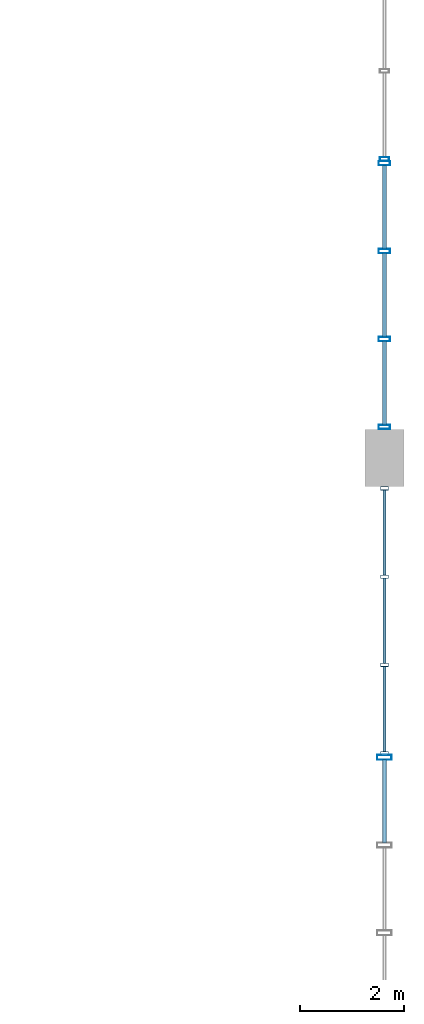
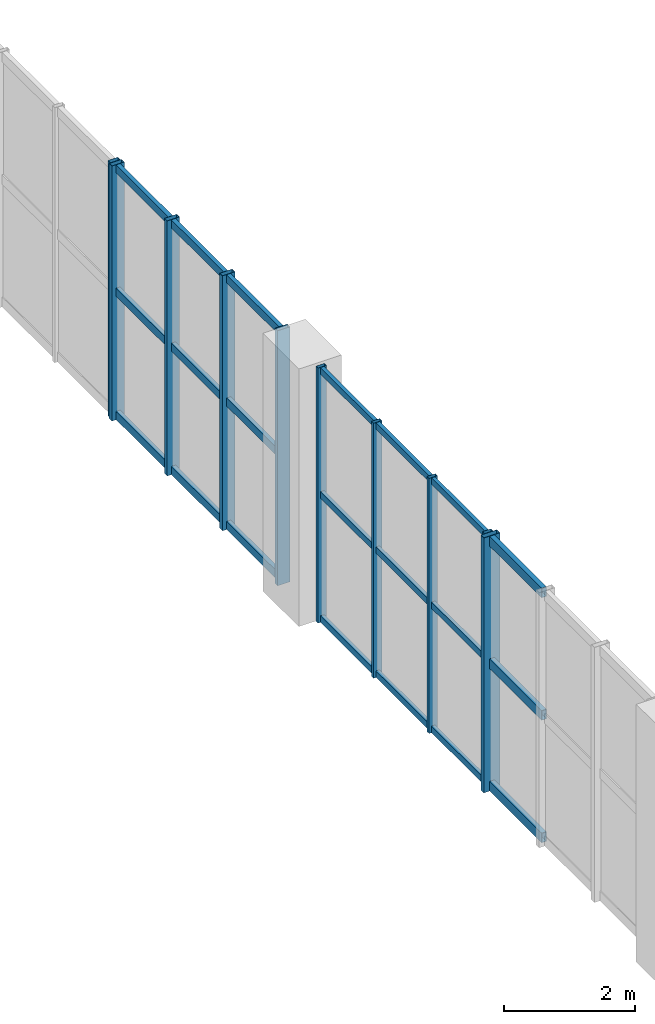
# One storey, part 65 of 106: 31 members, 4 elements without a shape of their own.
"""IFC4 building model written with IfcOpenShell, lengths in metres."""

from ifc_helpers import new_model, si_unit, direction, frame, origin, origin_2d, place, context, subcontext, project, spatial, hollow_rectangle, extrude, material, layer, layer_set, material_profile, profile_set, type_object, element, aggregate, save


model = new_model("IFC4")

# Units and contexts
model_context = context("Model", 3, precision=1e-05, world=origin(), true_north=direction((0.0, 1.0)))
body_context = subcontext(model_context, "Body", "Model", "MODEL_VIEW")
ifc_project = project(units=[si_unit("LENGTHUNIT", "METRE"), si_unit("AREAUNIT", "SQUARE_METRE"), si_unit("VOLUMEUNIT", "CUBIC_METRE"), si_unit("PLANEANGLEUNIT", "RADIAN"), si_unit("MASSUNIT", "GRAM", prefix="KILO"), si_unit("POWERUNIT", "WATT"), si_unit("THERMODYNAMICTEMPERATUREUNIT", "KELVIN")], contexts=[model_context])

# Site, building, storey
site_placement = place(None, origin())
site = spatial("IfcSite", under=ifc_project, at=site_placement, CompositionType="ELEMENT")
building_placement = place(site_placement, origin())
building = spatial("IfcBuilding", under=site, at=building_placement, Name="Kelmbourne Parkland Aquatics Centre", CompositionType="ELEMENT")
storey_placement = place(building_placement, frame((0.0, 0.0, 5.39990234375)))
storey = spatial("IfcBuildingStorey", under=building, at=storey_placement, Name="L01", CompositionType="ELEMENT", Elevation=5.39990234375)

# Curtain wall, members
ifc_material = material(Name="Thermally broken anodised aluminium framing", Category="aluminium")
ifc_layer_1 = layer(ifc_material, 0.179931640625)
ifc_layer_set_1 = layer_set([ifc_layer_1], Name="Thermally broken anodised aluminium framing")
curtain_wall_type_1 = type_object("IfcCurtainWallType", Name="CW-18", PredefinedType="NOTDEFINED", material=ifc_layer_set_1)
curtain_wall_1_placement = place(storey_placement, origin())
curtain_wall_1 = element("IfcCurtainWall", 1, at=curtain_wall_1_placement, inside=storey, type_object=curtain_wall_type_1, Name="Wave-hall clerestory curtain wall CW-L01-090", PredefinedType="NOTDEFINED")
ifc_material_profile_1 = material_profile(ifc_material, hollow_rectangle(XDim=0.06494140625, YDim=0.14990234375, WallThickness=0.00390625, at=origin_2d()), Name="CW-M 65x150")
ifc_profile_set_1 = profile_set([ifc_material_profile_1], Name="Thermally broken anodised aluminium framing")
member_type_1 = type_object("IfcMemberType", Name="MB-MUL-1", PredefinedType="MULLION", material=ifc_profile_set_1)
member_1_placement = place(storey_placement, frame((175.199951171875, 97.732421875, 0.0), z_axis=(0.0, 0.0, 1.0), x_axis=(0.0, 1.0, 0.0)))
member_1 = element("IfcMember", 2, at=member_1_placement, type_object=member_type_1, Name="CW-L01-090 mullion 0", PredefinedType="MULLION", context=body_context, shape_type="SweptSolid", body=[
    extrude(hollow_rectangle(XDim=0.06494140625, YDim=0.14990234375, WallThickness=0.00390625, at=origin_2d()), origin(), (0.0, 0.0, 1.0), 4.75),
])
member_2_placement = place(storey_placement, frame((175.199951171875, 99.4267578125, 0.0), z_axis=(0.0, 0.0, 1.0), x_axis=(0.0, 1.0, 0.0)))
member_2 = element("IfcMember", 3, at=member_2_placement, type_object=member_type_1, Name="CW-L01-090 mullion 1", PredefinedType="MULLION", context=body_context, shape_type="SweptSolid", body=[
    extrude(hollow_rectangle(XDim=0.06494140625, YDim=0.14990234375, WallThickness=0.00390625, at=origin_2d()), origin(), (0.0, 0.0, 1.0), 4.75),
])
member_3_placement = place(storey_placement, frame((175.199951171875, 101.12109375, 0.0), z_axis=(0.0, 0.0, 1.0), x_axis=(0.0, 1.0, 0.0)))
member_3 = element("IfcMember", 4, at=member_3_placement, type_object=member_type_1, Name="CW-L01-090 mullion 2", PredefinedType="MULLION", context=body_context, shape_type="SweptSolid", body=[
    extrude(hollow_rectangle(XDim=0.06494140625, YDim=0.14990234375, WallThickness=0.00390625, at=origin_2d()), origin(), (0.0, 0.0, 1.0), 4.75),
])
member_4_placement = place(storey_placement, frame((175.199951171875, 102.8154296875, 0.0), z_axis=(0.0, 0.0, 1.0), x_axis=(0.0, 1.0, 0.0)))
member_4 = element("IfcMember", 5, at=member_4_placement, type_object=member_type_1, Name="CW-L01-090 mullion 3", PredefinedType="MULLION", context=body_context, shape_type="SweptSolid", body=[
    extrude(hollow_rectangle(XDim=0.06494140625, YDim=0.14990234375, WallThickness=0.00390625, at=origin_2d()), origin(), (0.0, 0.0, 1.0), 4.75),
])

# Curtain wall, member
ifc_layer_2 = layer(ifc_material, 0.179931640625)
ifc_layer_set_2 = layer_set([ifc_layer_2], Name="Thermally broken anodised aluminium framing")
curtain_wall_type_2 = type_object("IfcCurtainWallType", Name="CW-05", PredefinedType="NOTDEFINED", material=ifc_layer_set_2)
curtain_wall_2_placement = place(storey_placement, origin())
curtain_wall_2 = element("IfcCurtainWall", 6, at=curtain_wall_2_placement, inside=storey, type_object=curtain_wall_type_2, Name="Wave-hall clerestory curtain wall CW-L01-101", PredefinedType="NOTDEFINED")
ifc_material_profile_2 = material_profile(ifc_material, hollow_rectangle(XDim=0.074951171875, YDim=0.179931640625, WallThickness=0.00439453125, at=origin_2d()), Name="CW-M 75x180")
ifc_profile_set_2 = profile_set([ifc_material_profile_2], Name="Thermally broken anodised aluminium framing")
member_type_2 = type_object("IfcMemberType", Name="MB-MUL-2", PredefinedType="MULLION", material=ifc_profile_set_2)
member_5_placement = place(storey_placement, frame((175.199951171875, 109.137451171875, 0.0), z_axis=(0.0, 0.0, 1.0), x_axis=(0.0, 1.0, 0.0)))
member_5 = element("IfcMember", 7, at=member_5_placement, type_object=member_type_2, Name="CW-L01-101 mullion 0", PredefinedType="MULLION", context=body_context, shape_type="SweptSolid", body=[
    extrude(hollow_rectangle(XDim=0.074951171875, YDim=0.179931640625, WallThickness=0.00439453125, at=origin_2d()), origin(), (0.0, 0.0, 1.0), 4.75),
])
aggregate(curtain_wall_2, [member_5])

# Curtain wall, members
ifc_layer_3 = layer(ifc_material, 0.179931640625)
ifc_layer_set_3 = layer_set([ifc_layer_3], Name="Thermally broken anodised aluminium framing")
curtain_wall_type_3 = type_object("IfcCurtainWallType", Name="CW-01", PredefinedType="NOTDEFINED", material=ifc_layer_set_3)
curtain_wall_3_placement = place(storey_placement, origin())
curtain_wall_3 = element("IfcCurtainWall", 8, at=curtain_wall_3_placement, inside=storey, type_object=curtain_wall_type_3, Name="Wave-hall clerestory curtain wall CW-L01-097", PredefinedType="NOTDEFINED")
ifc_material_profile_3 = material_profile(ifc_material, hollow_rectangle(XDim=0.0849609375, YDim=0.219970703125, WallThickness=0.0048828125, at=origin_2d()), Name="CW-M 85x220")
ifc_profile_set_3 = profile_set([ifc_material_profile_3], Name="Thermally broken anodised aluminium framing")
member_type_3 = type_object("IfcMemberType", Name="MB-MUL-3", PredefinedType="MULLION", material=ifc_profile_set_3)
member_6_placement = place(storey_placement, frame((175.199951171875, 103.994384765625, 0.0), z_axis=(0.0, 0.0, 1.0), x_axis=(0.0, 1.0, 0.0)))
member_6 = element("IfcMember", 9, at=member_6_placement, type_object=member_type_3, Name="CW-L01-097 mullion 0", PredefinedType="MULLION", context=body_context, shape_type="SweptSolid", body=[
    extrude(hollow_rectangle(XDim=0.0849609375, YDim=0.219970703125, WallThickness=0.0048828125, at=origin_2d()), origin(), (0.0, 0.0, 1.0), 4.75),
])
member_7_placement = place(storey_placement, frame((175.199951171875, 105.68212890625, 0.0), z_axis=(0.0, 0.0, 1.0), x_axis=(0.0, 1.0, 0.0)))
member_7 = element("IfcMember", 10, at=member_7_placement, type_object=member_type_3, Name="CW-L01-097 mullion 1", PredefinedType="MULLION", context=body_context, shape_type="SweptSolid", body=[
    extrude(hollow_rectangle(XDim=0.0849609375, YDim=0.219970703125, WallThickness=0.0048828125, at=origin_2d()), origin(), (0.0, 0.0, 1.0), 4.75),
])
member_8_placement = place(storey_placement, frame((175.199951171875, 107.369873046875, 0.0), z_axis=(0.0, 0.0, 1.0), x_axis=(0.0, 1.0, 0.0)))
member_8 = element("IfcMember", 11, at=member_8_placement, type_object=member_type_3, Name="CW-L01-097 mullion 2", PredefinedType="MULLION", context=body_context, shape_type="SweptSolid", body=[
    extrude(hollow_rectangle(XDim=0.0849609375, YDim=0.219970703125, WallThickness=0.0048828125, at=origin_2d()), origin(), (0.0, 0.0, 1.0), 4.75),
])
member_9_placement = place(storey_placement, frame((175.199951171875, 109.0576171875, 0.0), z_axis=(0.0, 0.0, 1.0), x_axis=(0.0, 1.0, 0.0)))
member_9 = element("IfcMember", 12, at=member_9_placement, type_object=member_type_3, Name="CW-L01-097 mullion 3", PredefinedType="MULLION", context=body_context, shape_type="SweptSolid", body=[
    extrude(hollow_rectangle(XDim=0.0849609375, YDim=0.219970703125, WallThickness=0.0048828125, at=origin_2d()), origin(), (0.0, 0.0, 1.0), 4.75),
])

# Curtain wall, member
ifc_layer_4 = layer(ifc_material, 0.179931640625)
ifc_layer_set_4 = layer_set([ifc_layer_4], Name="Thermally broken anodised aluminium framing")
curtain_wall_type_4 = type_object("IfcCurtainWallType", Name="CW-11", PredefinedType="NOTDEFINED", material=ifc_layer_set_4)
curtain_wall_4_placement = place(storey_placement, origin())
curtain_wall_4 = element("IfcCurtainWall", 13, at=curtain_wall_4_placement, inside=storey, type_object=curtain_wall_type_4, Name="Wave-hall clerestory curtain wall CW-L01-083", PredefinedType="NOTDEFINED")
ifc_material_profile_4 = material_profile(ifc_material, hollow_rectangle(XDim=0.094970703125, YDim=0.280029296875, WallThickness=0.005615234375, at=origin_2d()), Name="CW-M 95x280")
ifc_profile_set_4 = profile_set([ifc_material_profile_4], Name="Thermally broken anodised aluminium framing")
member_type_4 = type_object("IfcMemberType", Name="MB-MUL-4", PredefinedType="MULLION", material=ifc_profile_set_4)
member_10_placement = place(storey_placement, frame((175.199951171875, 97.652587890625, 0.0), z_axis=(0.0, 0.0, 1.0), x_axis=(0.0, 1.0, 0.0)))
member_10 = element("IfcMember", 14, at=member_10_placement, type_object=member_type_4, Name="CW-L01-083 mullion 3", PredefinedType="MULLION", context=body_context, shape_type="SweptSolid", body=[
    extrude(hollow_rectangle(XDim=0.094970703125, YDim=0.280029296875, WallThickness=0.005615234375, at=origin_2d()), origin(), (0.0, 0.0, 1.0), 4.75),
])

# Member
ifc_material_profile_5 = material_profile(ifc_material, hollow_rectangle(XDim=0.06494140625, YDim=0.1201171875, WallThickness=0.00341796875, at=origin_2d()), Name="CW-T 65x120")
ifc_profile_set_5 = profile_set([ifc_material_profile_5], Name="Thermally broken anodised aluminium framing")
member_type_5 = type_object("IfcMemberType", Name="MB-TRN-1", PredefinedType="USERDEFINED", material=ifc_profile_set_5)
member_11_placement = place(storey_placement, frame((175.199951171875, 97.760986328125, 0.06298828125), z_axis=(0.0, 1.0, 0.0), x_axis=(-1.0, 0.0, 0.0)))
member_11 = element("IfcMember", 15, at=member_11_placement, type_object=member_type_5, Name="CW-L01-090 transom 0-0", ObjectType="TRANSOM", PredefinedType="USERDEFINED", context=body_context, shape_type="SweptSolid", body=[
    extrude(hollow_rectangle(XDim=0.06494140625, YDim=0.1201171875, WallThickness=0.00341796875, at=origin_2d()), origin(), (0.0, 0.0, 1.0), 1.63720703125),
])

member_12_placement = place(storey_placement, frame((175.199951171875, 99.455322265625, 0.06298828125), z_axis=(0.0, 1.0, 0.0), x_axis=(-1.0, 0.0, 0.0)))
member_12 = element("IfcMember", 16, at=member_12_placement, type_object=member_type_5, Name="CW-L01-090 transom 0-1", ObjectType="TRANSOM", PredefinedType="USERDEFINED", context=body_context, shape_type="SweptSolid", body=[
    extrude(hollow_rectangle(XDim=0.06494140625, YDim=0.1201171875, WallThickness=0.00341796875, at=origin_2d()), origin(), (0.0, 0.0, 1.0), 1.637451171875),
])

member_13_placement = place(storey_placement, frame((175.199951171875, 101.149658203125, 0.06298828125), z_axis=(0.0, 1.0, 0.0), x_axis=(-1.0, 0.0, 0.0)))
member_13 = element("IfcMember", 17, at=member_13_placement, type_object=member_type_5, Name="CW-L01-090 transom 0-2", ObjectType="TRANSOM", PredefinedType="USERDEFINED", context=body_context, shape_type="SweptSolid", body=[
    extrude(hollow_rectangle(XDim=0.06494140625, YDim=0.1201171875, WallThickness=0.00341796875, at=origin_2d()), origin(), (0.0, 0.0, 1.0), 1.637451171875),
])

member_14_placement = place(storey_placement, frame((175.199951171875, 97.760986328125, 2.375), z_axis=(0.0, 1.0, 0.0), x_axis=(-1.0, 0.0, 0.0)))
member_14 = element("IfcMember", 18, at=member_14_placement, type_object=member_type_5, Name="CW-L01-090 transom 1-0", ObjectType="TRANSOM", PredefinedType="USERDEFINED", context=body_context, shape_type="SweptSolid", body=[
    extrude(hollow_rectangle(XDim=0.06494140625, YDim=0.1201171875, WallThickness=0.00341796875, at=origin_2d()), origin(), (0.0, 0.0, 1.0), 1.63720703125),
])

member_15_placement = place(storey_placement, frame((175.199951171875, 99.455322265625, 2.375), z_axis=(0.0, 1.0, 0.0), x_axis=(-1.0, 0.0, 0.0)))
member_15 = element("IfcMember", 19, at=member_15_placement, type_object=member_type_5, Name="CW-L01-090 transom 1-1", ObjectType="TRANSOM", PredefinedType="USERDEFINED", context=body_context, shape_type="SweptSolid", body=[
    extrude(hollow_rectangle(XDim=0.06494140625, YDim=0.1201171875, WallThickness=0.00341796875, at=origin_2d()), origin(), (0.0, 0.0, 1.0), 1.637451171875),
])

member_16_placement = place(storey_placement, frame((175.199951171875, 101.149658203125, 2.375), z_axis=(0.0, 1.0, 0.0), x_axis=(-1.0, 0.0, 0.0)))
member_16 = element("IfcMember", 20, at=member_16_placement, type_object=member_type_5, Name="CW-L01-090 transom 1-2", ObjectType="TRANSOM", PredefinedType="USERDEFINED", context=body_context, shape_type="SweptSolid", body=[
    extrude(hollow_rectangle(XDim=0.06494140625, YDim=0.1201171875, WallThickness=0.00341796875, at=origin_2d()), origin(), (0.0, 0.0, 1.0), 1.637451171875),
])

member_17_placement = place(storey_placement, frame((175.199951171875, 97.760986328125, 4.68701171875), z_axis=(0.0, 1.0, 0.0), x_axis=(-1.0, 0.0, 0.0)))
member_17 = element("IfcMember", 21, at=member_17_placement, type_object=member_type_5, Name="CW-L01-090 transom 2-0", ObjectType="TRANSOM", PredefinedType="USERDEFINED", context=body_context, shape_type="SweptSolid", body=[
    extrude(hollow_rectangle(XDim=0.06494140625, YDim=0.1201171875, WallThickness=0.00341796875, at=origin_2d()), origin(), (0.0, 0.0, 1.0), 1.63720703125),
])

member_18_placement = place(storey_placement, frame((175.199951171875, 99.455322265625, 4.68701171875), z_axis=(0.0, 1.0, 0.0), x_axis=(-1.0, 0.0, 0.0)))
member_18 = element("IfcMember", 22, at=member_18_placement, type_object=member_type_5, Name="CW-L01-090 transom 2-1", ObjectType="TRANSOM", PredefinedType="USERDEFINED", context=body_context, shape_type="SweptSolid", body=[
    extrude(hollow_rectangle(XDim=0.06494140625, YDim=0.1201171875, WallThickness=0.00341796875, at=origin_2d()), origin(), (0.0, 0.0, 1.0), 1.637451171875),
])

member_19_placement = place(storey_placement, frame((175.199951171875, 101.149658203125, 4.68701171875), z_axis=(0.0, 1.0, 0.0), x_axis=(-1.0, 0.0, 0.0)))
member_19 = element("IfcMember", 23, at=member_19_placement, type_object=member_type_5, Name="CW-L01-090 transom 2-2", ObjectType="TRANSOM", PredefinedType="USERDEFINED", context=body_context, shape_type="SweptSolid", body=[
    extrude(hollow_rectangle(XDim=0.06494140625, YDim=0.1201171875, WallThickness=0.00341796875, at=origin_2d()), origin(), (0.0, 0.0, 1.0), 1.637451171875),
])

aggregate(curtain_wall_1, [member_1, member_2, member_3, member_4, member_11, member_12, member_13, member_14, member_15, member_16, member_17, member_18, member_19])

ifc_material_profile_6 = material_profile(ifc_material, hollow_rectangle(XDim=0.074951171875, YDim=0.14990234375, WallThickness=0.00390625, at=origin_2d()), Name="CW-T 75x150")
ifc_profile_set_6 = profile_set([ifc_material_profile_6], Name="Thermally broken anodised aluminium framing")
member_type_6 = type_object("IfcMemberType", Name="MB-TRN-2", PredefinedType="USERDEFINED", material=ifc_profile_set_6)
member_20_placement = place(storey_placement, frame((175.199951171875, 104.032958984375, 0.078125), z_axis=(0.0, 1.0, 0.0), x_axis=(-1.0, 0.0, 0.0)))
member_20 = element("IfcMember", 24, at=member_20_placement, type_object=member_type_6, Name="CW-L01-097 transom 0-0", ObjectType="TRANSOM", PredefinedType="USERDEFINED", context=body_context, shape_type="SweptSolid", body=[
    extrude(hollow_rectangle(XDim=0.074951171875, YDim=0.14990234375, WallThickness=0.00390625, at=origin_2d()), origin(), (0.0, 0.0, 1.0), 1.61083984375),
])

member_21_placement = place(storey_placement, frame((175.199951171875, 105.720703125, 0.078125), z_axis=(0.0, 1.0, 0.0), x_axis=(-1.0, 0.0, 0.0)))
member_21 = element("IfcMember", 25, at=member_21_placement, type_object=member_type_6, Name="CW-L01-097 transom 0-1", ObjectType="TRANSOM", PredefinedType="USERDEFINED", context=body_context, shape_type="SweptSolid", body=[
    extrude(hollow_rectangle(XDim=0.074951171875, YDim=0.14990234375, WallThickness=0.00390625, at=origin_2d()), origin(), (0.0, 0.0, 1.0), 1.610595703125),
])

member_22_placement = place(storey_placement, frame((175.199951171875, 107.408203125, 0.078125), z_axis=(0.0, 1.0, 0.0), x_axis=(-1.0, 0.0, 0.0)))
member_22 = element("IfcMember", 26, at=member_22_placement, type_object=member_type_6, Name="CW-L01-097 transom 0-2", ObjectType="TRANSOM", PredefinedType="USERDEFINED", context=body_context, shape_type="SweptSolid", body=[
    extrude(hollow_rectangle(XDim=0.074951171875, YDim=0.14990234375, WallThickness=0.00390625, at=origin_2d()), origin(), (0.0, 0.0, 1.0), 1.61083984375),
])

member_23_placement = place(storey_placement, frame((175.199951171875, 104.032958984375, 2.375), z_axis=(0.0, 1.0, 0.0), x_axis=(-1.0, 0.0, 0.0)))
member_23 = element("IfcMember", 27, at=member_23_placement, type_object=member_type_6, Name="CW-L01-097 transom 1-0", ObjectType="TRANSOM", PredefinedType="USERDEFINED", context=body_context, shape_type="SweptSolid", body=[
    extrude(hollow_rectangle(XDim=0.074951171875, YDim=0.14990234375, WallThickness=0.00390625, at=origin_2d()), origin(), (0.0, 0.0, 1.0), 1.61083984375),
])

member_24_placement = place(storey_placement, frame((175.199951171875, 105.720703125, 2.375), z_axis=(0.0, 1.0, 0.0), x_axis=(-1.0, 0.0, 0.0)))
member_24 = element("IfcMember", 28, at=member_24_placement, type_object=member_type_6, Name="CW-L01-097 transom 1-1", ObjectType="TRANSOM", PredefinedType="USERDEFINED", context=body_context, shape_type="SweptSolid", body=[
    extrude(hollow_rectangle(XDim=0.074951171875, YDim=0.14990234375, WallThickness=0.00390625, at=origin_2d()), origin(), (0.0, 0.0, 1.0), 1.610595703125),
])

member_25_placement = place(storey_placement, frame((175.199951171875, 107.408203125, 2.375), z_axis=(0.0, 1.0, 0.0), x_axis=(-1.0, 0.0, 0.0)))
member_25 = element("IfcMember", 29, at=member_25_placement, type_object=member_type_6, Name="CW-L01-097 transom 1-2", ObjectType="TRANSOM", PredefinedType="USERDEFINED", context=body_context, shape_type="SweptSolid", body=[
    extrude(hollow_rectangle(XDim=0.074951171875, YDim=0.14990234375, WallThickness=0.00390625, at=origin_2d()), origin(), (0.0, 0.0, 1.0), 1.61083984375),
])

member_26_placement = place(storey_placement, frame((175.199951171875, 104.032958984375, 4.672119140625), z_axis=(0.0, 1.0, 0.0), x_axis=(-1.0, 0.0, 0.0)))
member_26 = element("IfcMember", 30, at=member_26_placement, type_object=member_type_6, Name="CW-L01-097 transom 2-0", ObjectType="TRANSOM", PredefinedType="USERDEFINED", context=body_context, shape_type="SweptSolid", body=[
    extrude(hollow_rectangle(XDim=0.074951171875, YDim=0.14990234375, WallThickness=0.00390625, at=origin_2d()), origin(), (0.0, 0.0, 1.0), 1.61083984375),
])

member_27_placement = place(storey_placement, frame((175.199951171875, 105.720703125, 4.672119140625), z_axis=(0.0, 1.0, 0.0), x_axis=(-1.0, 0.0, 0.0)))
member_27 = element("IfcMember", 31, at=member_27_placement, type_object=member_type_6, Name="CW-L01-097 transom 2-1", ObjectType="TRANSOM", PredefinedType="USERDEFINED", context=body_context, shape_type="SweptSolid", body=[
    extrude(hollow_rectangle(XDim=0.074951171875, YDim=0.14990234375, WallThickness=0.00390625, at=origin_2d()), origin(), (0.0, 0.0, 1.0), 1.610595703125),
])

member_28_placement = place(storey_placement, frame((175.199951171875, 107.408203125, 4.672119140625), z_axis=(0.0, 1.0, 0.0), x_axis=(-1.0, 0.0, 0.0)))
member_28 = element("IfcMember", 32, at=member_28_placement, type_object=member_type_6, Name="CW-L01-097 transom 2-2", ObjectType="TRANSOM", PredefinedType="USERDEFINED", context=body_context, shape_type="SweptSolid", body=[
    extrude(hollow_rectangle(XDim=0.074951171875, YDim=0.14990234375, WallThickness=0.00390625, at=origin_2d()), origin(), (0.0, 0.0, 1.0), 1.61083984375),
])

aggregate(curtain_wall_3, [member_6, member_7, member_8, member_9, member_20, member_21, member_22, member_23, member_24, member_25, member_26, member_27, member_28])

ifc_material_profile_7 = material_profile(ifc_material, hollow_rectangle(XDim=0.0849609375, YDim=0.179931640625, WallThickness=0.00439453125, at=origin_2d()), Name="CW-T 85x180")
ifc_profile_set_7 = profile_set([ifc_material_profile_7], Name="Thermally broken anodised aluminium framing")
member_type_7 = type_object("IfcMemberType", Name="MB-TRN-3", PredefinedType="USERDEFINED", material=ifc_profile_set_7)
member_29_placement = place(storey_placement, frame((175.199951171875, 96.01171875, 0.093017578125), z_axis=(0.0, 1.0, 0.0), x_axis=(-1.0, 0.0, 0.0)))
member_29 = element("IfcMember", 33, at=member_29_placement, type_object=member_type_7, Name="CW-L01-083 transom 0-2", ObjectType="TRANSOM", PredefinedType="USERDEFINED", context=body_context, shape_type="SweptSolid", body=[
    extrude(hollow_rectangle(XDim=0.0849609375, YDim=0.179931640625, WallThickness=0.00439453125, at=origin_2d()), origin(), (0.0, 0.0, 1.0), 1.59716796875),
])

member_30_placement = place(storey_placement, frame((175.199951171875, 96.01171875, 2.375), z_axis=(0.0, 1.0, 0.0), x_axis=(-1.0, 0.0, 0.0)))
member_30 = element("IfcMember", 34, at=member_30_placement, type_object=member_type_7, Name="CW-L01-083 transom 1-2", ObjectType="TRANSOM", PredefinedType="USERDEFINED", context=body_context, shape_type="SweptSolid", body=[
    extrude(hollow_rectangle(XDim=0.0849609375, YDim=0.179931640625, WallThickness=0.00439453125, at=origin_2d()), origin(), (0.0, 0.0, 1.0), 1.59716796875),
])

member_31_placement = place(storey_placement, frame((175.199951171875, 96.01171875, 4.656982421875), z_axis=(0.0, 1.0, 0.0), x_axis=(-1.0, 0.0, 0.0)))
member_31 = element("IfcMember", 35, at=member_31_placement, type_object=member_type_7, Name="CW-L01-083 transom 2-2", ObjectType="TRANSOM", PredefinedType="USERDEFINED", context=body_context, shape_type="SweptSolid", body=[
    extrude(hollow_rectangle(XDim=0.0849609375, YDim=0.179931640625, WallThickness=0.00439453125, at=origin_2d()), origin(), (0.0, 0.0, 1.0), 1.59716796875),
])

aggregate(curtain_wall_4, [member_10, member_29, member_30, member_31])

save(model, "model.ifc")
